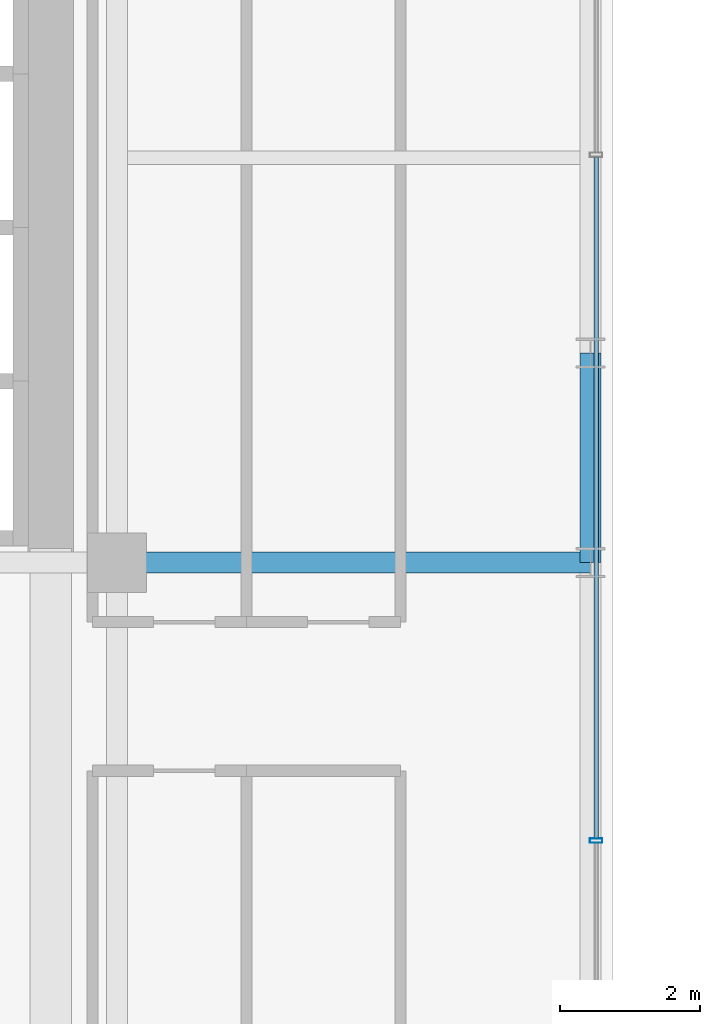
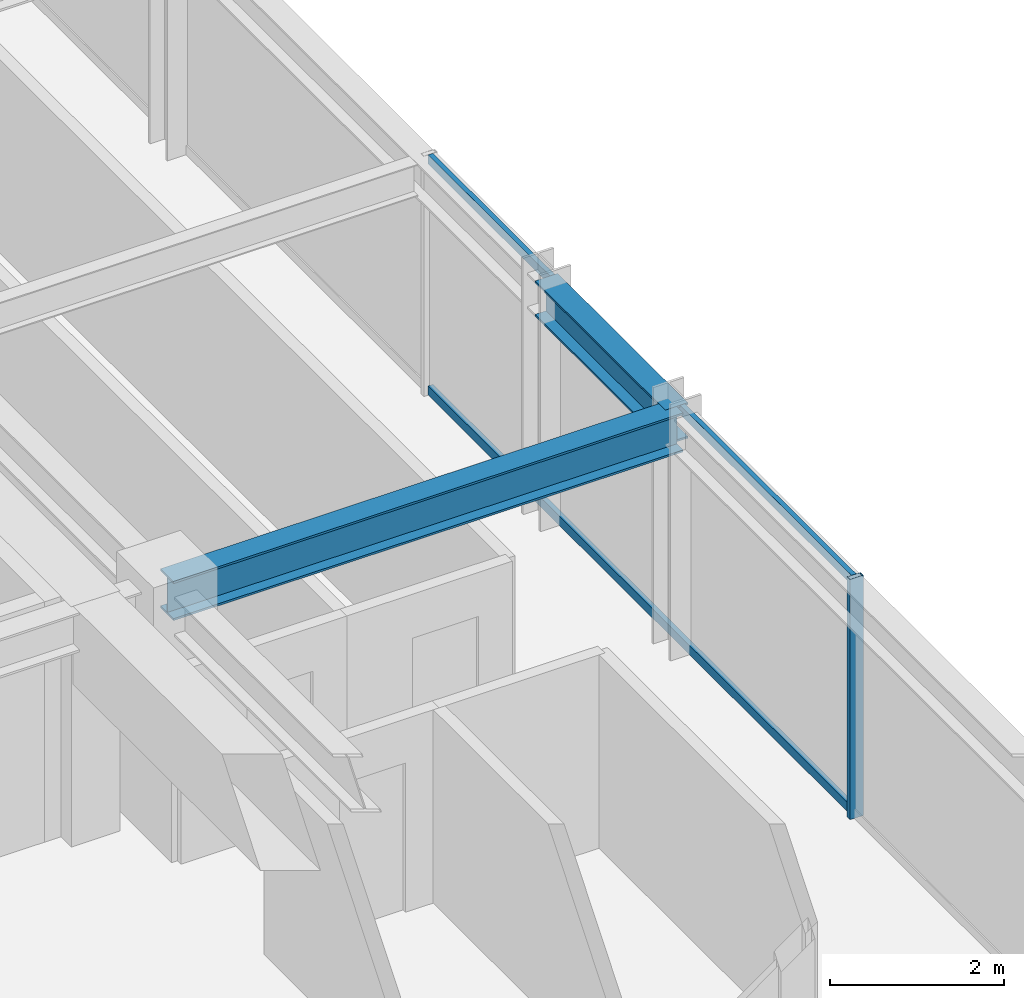
# One storey, part 15 of 34: 3 members, 2 beams, 1 element without a shape of its own.
"""IFC4 building model written with IfcOpenShell, lengths in metres."""

from ifc_helpers import new_model, si_unit, direction, frame, origin, origin_2d, place, context, subcontext, project, spatial, hollow_rectangle, i_section, extrude, source, transform, mapped, material, material_profile, profile_set, type_object, element, aggregate, save


model = new_model("IFC4")

# Units and contexts
model_context = context("Model", 3, precision=1e-05, world=origin(), true_north=direction((0.0, 1.0)))
body_context = subcontext(model_context, "Body", "Model", "MODEL_VIEW")
ifc_project = project(units=[si_unit("LENGTHUNIT", "METRE"), si_unit("AREAUNIT", "SQUARE_METRE"), si_unit("VOLUMEUNIT", "CUBIC_METRE"), si_unit("PLANEANGLEUNIT", "RADIAN"), si_unit("MASSUNIT", "GRAM", prefix="KILO")], contexts=[model_context])

# Site, building, storey
site_placement = place(None, origin())
site = spatial("IfcSite", under=ifc_project, at=site_placement, CompositionType="ELEMENT")
building_placement = place(site_placement, origin())
building = spatial("IfcBuilding", under=site, at=building_placement, Name="Nahalor Promenade Grand Hotel", CompositionType="ELEMENT")
storey_placement = place(building_placement, frame((0.0, 0.0, 128.449951171875)))
storey = spatial("IfcBuildingStorey", under=building, at=storey_placement, Name="L32", CompositionType="ELEMENT", Elevation=128.449951171875)

# Beams
ifc_material_1 = material(Name="Steel S355JR", Category="steel")
ifc_material_profile_1 = material_profile(ifc_material_1, i_section(OverallWidth=0.3, OverallDepth=0.5, WebThickness=0.0145, FlangeThickness=0.028, at=origin_2d()), Name="HEB 500")
ifc_profile_set_1 = profile_set([ifc_material_profile_1], Name="Steel S355JR")
beam_type_1 = type_object("IfcBeamType", Name="Beam-Spandrel-HEB500", PredefinedType="SPANDREL", material=ifc_profile_set_1)
shared_shape_1 = source(origin(), body_context, "Body", "SweptSolid", [
    extrude(i_section(OverallWidth=0.3, OverallDepth=0.5, WebThickness=0.0145, FlangeThickness=0.028, at=origin_2d()), origin(), (0.0, 0.0, 1.0), 3.0),
])
beam_1_placement = place(storey_placement, frame((23.780029296875, 5.39990234375, 3.130126953125), z_axis=(0.0, 1.0, 0.0), x_axis=(-1.0, 0.0, 0.0)))
element("IfcBeam", 1, at=beam_1_placement, inside=storey, type_object=beam_type_1, Name="BM-L32-SP-E-3", PredefinedType="SPANDREL", context=body_context, shape_type="MappedRepresentation", body=[
    mapped(shared_shape_1, transform((0.0, 0.0, 0.0), scale=1.0)),
])
ifc_material_profile_2 = material_profile(ifc_material_1, i_section(OverallWidth=0.3, OverallDepth=0.55, WebThickness=0.015, FlangeThickness=0.029, at=origin_2d()), Name="HEB 550")
ifc_profile_set_2 = profile_set([ifc_material_profile_2], Name="Steel S355JR")
beam_type_2 = type_object("IfcBeamType", Name="Beam-Girder-HEB550", PredefinedType="BEAM", material=ifc_profile_set_2)
shared_shape_2 = source(origin(), body_context, "Body", "SweptSolid", [
    extrude(i_section(OverallWidth=0.3, OverallDepth=0.55, WebThickness=0.015, FlangeThickness=0.029, at=origin_2d()), origin(), (0.0, 0.0, 1.0), 6.780029296875),
])
beam_2_placement = place(storey_placement, frame((17.0, 5.39990234375, 3.10498046875), z_axis=(1.0, 0.0, 0.0), x_axis=(0.0, 1.0, 0.0)))
element("IfcBeam", 2, at=beam_2_placement, inside=storey, type_object=beam_type_2, Name="BM-L32-GX-2-6", PredefinedType="BEAM", context=body_context, shape_type="MappedRepresentation", body=[
    mapped(shared_shape_2, transform((0.0, 0.0, 0.0), scale=1.0)),
])

# Curtain wall, members
ifc_material_2 = material(Name="Anodised Bronze Aluminium EN AW-6063 T6", Category="aluminium")
curtain_wall_type = type_object("IfcCurtainWallType", Name="CW2 Typical Hotel Flush Bronze Unitised Curtain Wall", PredefinedType="USERDEFINED", material=ifc_material_2)
curtain_wall_placement = place(storey_placement, origin())
curtain_wall = element("IfcCurtainWall", 3, at=curtain_wall_placement, inside=storey, type_object=curtain_wall_type, Name="L32 Curtain Wall CW-L32-E-3", ObjectType="UNITISED_CURTAIN_WALL", PredefinedType="USERDEFINED")
ifc_material_profile_3 = material_profile(ifc_material_2, hollow_rectangle(XDim=0.065, YDim=0.13, WallThickness=0.004, at=origin_2d()), Name="CWT 65x130x4")
ifc_profile_set_3 = profile_set([ifc_material_profile_3], Name="Anodised Bronze Aluminium EN AW-6063 T6")
member_type_1 = type_object("IfcMemberType", Name="CWT2 Typical Bronze Transom 65x130", PredefinedType="USERDEFINED", material=ifc_profile_set_3)
shared_shape_3 = source(origin(), body_context, "Body", "SweptSolid", [
    extrude(hollow_rectangle(XDim=0.065, YDim=0.13, WallThickness=0.004, at=origin_2d()), origin(), (0.0, 0.0, 1.0), 9.755126953125),
])
member_1_placement = place(storey_placement, frame((23.860107421875, 1.452392578125, 0.06494140625), z_axis=(0.0, 1.0, 0.0), x_axis=(-1.0, 0.0, 0.0)))
member_1 = element("IfcMember", 4, at=member_1_placement, type_object=member_type_1, Name="CW-L32-E-3 Transom 1-0", ObjectType="TRANSOM", PredefinedType="USERDEFINED", context=body_context, shape_type="MappedRepresentation", body=[
    mapped(shared_shape_3, transform((0.0, 0.0, 0.0), scale=1.0)),
])
member_2_placement = place(storey_placement, frame((23.860107421875, 1.452392578125, 3.31494140625), z_axis=(0.0, 1.0, 0.0), x_axis=(-1.0, 0.0, 0.0)))
member_2 = element("IfcMember", 5, at=member_2_placement, type_object=member_type_1, Name="CW-L32-E-3 Transom 1-1", ObjectType="TRANSOM", PredefinedType="USERDEFINED", context=body_context, shape_type="MappedRepresentation", body=[
    mapped(shared_shape_3, transform((0.0, 0.0, 0.0), scale=1.0)),
])
ifc_material_profile_4 = material_profile(ifc_material_2, hollow_rectangle(XDim=0.065, YDim=0.18, WallThickness=0.004, at=origin_2d()), Name="CWM 65x180x4")
ifc_profile_set_4 = profile_set([ifc_material_profile_4], Name="Anodised Bronze Aluminium EN AW-6063 T6")
member_type_2 = type_object("IfcMemberType", Name="CWM2 Typical Bronze Mullion 65x180", PredefinedType="MULLION", material=ifc_profile_set_4)
shared_shape_4 = source(origin(), body_context, "Body", "SweptSolid", [
    extrude(hollow_rectangle(XDim=0.065, YDim=0.18, WallThickness=0.004, at=origin_2d()), origin(), (0.0, 0.0, 1.0), 3.380126953125),
])
member_3_placement = place(storey_placement, frame((23.860107421875, 1.419921875, 0.0), z_axis=(0.0, 0.0, 1.0), x_axis=(0.0, 1.0, 0.0)))
member_3 = element("IfcMember", 6, at=member_3_placement, type_object=member_type_2, Name="CW-L32-E-3 Mullion 1", PredefinedType="MULLION", context=body_context, shape_type="MappedRepresentation", body=[
    mapped(shared_shape_4, transform((0.0, 0.0, 0.0), scale=1.0)),
])
aggregate(curtain_wall, [member_3, member_1, member_2])

save(model, "model.ifc")
